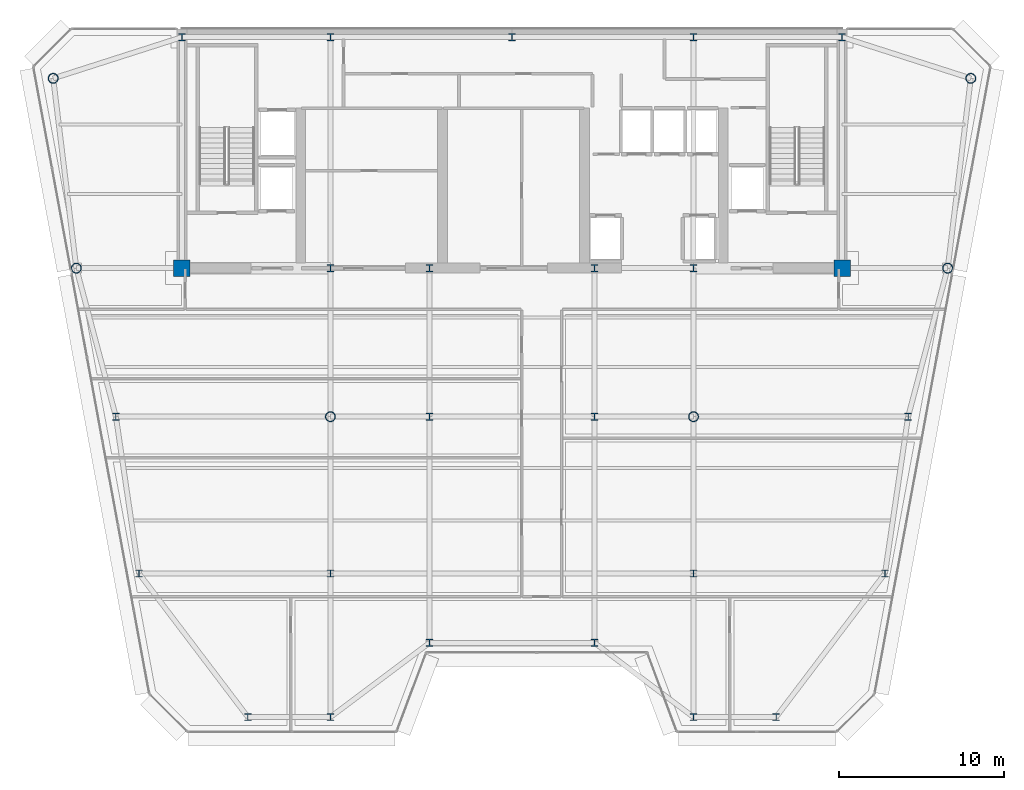
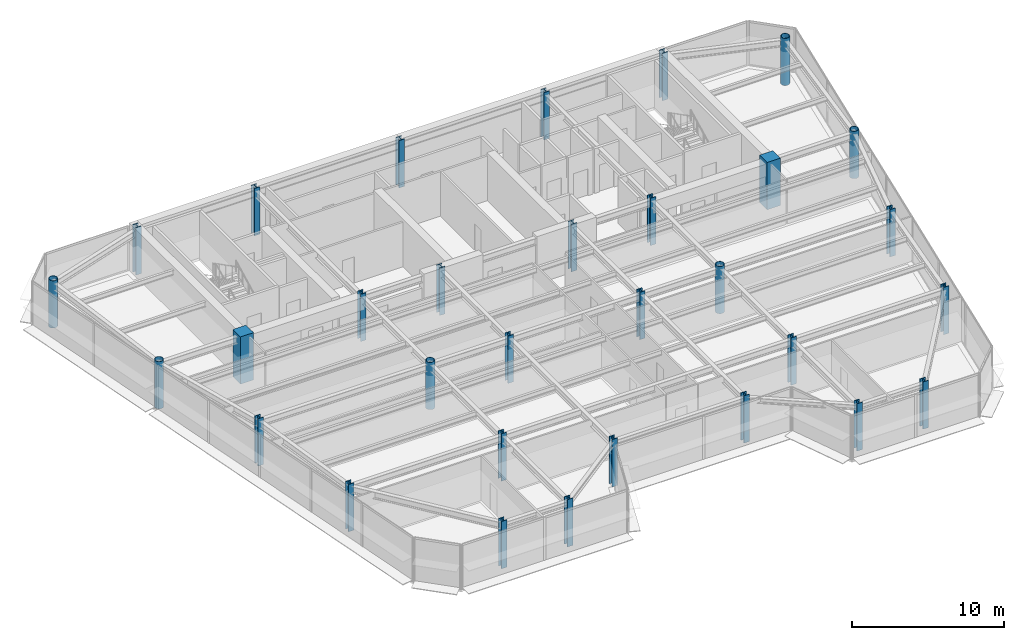
# One storey, part 1 of 17: 31 columns.
"""IFC4 building model written with IfcOpenShell, lengths in metres."""

from ifc_helpers import new_model, si_unit, direction, frame, origin, origin_2d, place, context, subcontext, project, spatial, rectangle, hollow_circle, i_section, extrude, source, transform, mapped, material, material_profile, profile_set, type_object, element, save


model = new_model("IFC4")

# Units and contexts
model_context = context("Model", 3, precision=1e-05, world=origin(), true_north=direction((0.0, 1.0)))
body_context = subcontext(model_context, "Body", "Model", "MODEL_VIEW")
ifc_project = project(units=[si_unit("LENGTHUNIT", "METRE"), si_unit("AREAUNIT", "SQUARE_METRE"), si_unit("VOLUMEUNIT", "CUBIC_METRE"), si_unit("PLANEANGLEUNIT", "RADIAN"), si_unit("MASSUNIT", "GRAM", prefix="KILO")], contexts=[model_context])

# Site, building, storey
site_placement = place(None, origin())
site = spatial("IfcSite", under=ifc_project, at=site_placement, CompositionType="ELEMENT")
building_placement = place(site_placement, origin())
building = spatial("IfcBuilding", under=site, at=building_placement, Name="Vaeldorn Concourse Tower", CompositionType="ELEMENT")
storey_placement = place(building_placement, frame((0.0, 0.0, 230.800048828125)))
storey = spatial("IfcBuildingStorey", under=building, at=storey_placement, Name="L59", CompositionType="ELEMENT", Elevation=230.800048828125)

# Columns
ifc_material_1 = material(Name="Concrete C50/60", Category="concrete")
ifc_material_profile_1 = material_profile(ifc_material_1, rectangle(XDim=1.0, YDim=1.0, at=origin_2d()), Name="RC 1000x1000")
ifc_profile_set_1 = profile_set([ifc_material_profile_1], Name="Concrete C50/60")
column_type_1 = type_object("IfcColumnType", Name="COL-RC1000", PredefinedType="COLUMN", material=ifc_profile_set_1)
shared_shape_1 = source(origin(), body_context, "Body", "SweptSolid", [
    extrude(rectangle(XDim=1.0, YDim=1.0, at=origin_2d()), origin(), (0.0, 0.0, 1.0), 3.800048828125),
])
for number, where, z_axis, x_axis, name in (
    (1, (14.0, 36.5, 0.0), (0.0, 0.0, 1.0), (1.0, 0.0, 0.0), "Column C-FC1 L59"),
    (2, (54.0, 36.5, 0.0), (0.0, 0.0, 1.0), (1.0, 0.0, 0.0), "Column C-FC6 L59"),
):
    element("IfcColumn", number, at=place(storey_placement, frame(where, z_axis=z_axis, x_axis=x_axis)), inside=storey, type_object=column_type_1, Name=name, PredefinedType="COLUMN", context=body_context, shape_type="MappedRepresentation", body=[
        mapped(shared_shape_1, transform((0.0, 0.0, 0.0), scale=1.0)),
    ])
ifc_material_2 = material(Name="Steel S460", Category="steel")
ifc_material_profile_2 = material_profile(ifc_material_2, i_section(OverallWidth=0.41796875, OverallDepth=0.455078125, WebThickness=0.0419921875, FlangeThickness=0.05810546875, FilletRadius=0.014892578125, at=origin_2d()), Name="HD 400x551")
ifc_profile_set_2 = profile_set([ifc_material_profile_2], Name="Steel S460")
column_type_2 = type_object("IfcColumnType", Name="COL-HD551", PredefinedType="COLUMN", material=ifc_profile_set_2)
shared_shape_2 = source(origin(), body_context, "Body", "SweptSolid", [
    extrude(i_section(OverallWidth=0.41796875, OverallDepth=0.455078125, WebThickness=0.0419921875, FlangeThickness=0.05810546875, FilletRadius=0.014892578125, at=origin_2d()), origin(), (0.0, 0.0, 1.0), 3.800048828125),
])
for number, where, z_axis, x_axis, name in (
    (3, (23.0, 36.5, 0.0), (0.0, 0.0, 1.0), (1.0, 0.0, 0.0), "Column C-FC2 L59"),
    (4, (29.0, 36.5, 0.0), (0.0, 0.0, 1.0), (1.0, 0.0, 0.0), "Column C-FC3 L59"),
    (5, (39.0, 36.5, 0.0), (0.0, 0.0, 1.0), (1.0, 0.0, 0.0), "Column C-FC4 L59"),
    (6, (45.0, 36.5, 0.0), (0.0, 0.0, 1.0), (1.0, 0.0, 0.0), "Column C-FC5 L59"),
    (7, (14.0, 50.5, 0.0), (0.0, 0.0, 1.0), (1.0, 0.0, 0.0), "Column C-HC1 L59"),
    (8, (23.0, 50.5, 0.0), (0.0, 0.0, 1.0), (1.0, 0.0, 0.0), "Column C-HC2 L59"),
    (9, (34.0, 50.5, 0.0), (0.0, 0.0, 1.0), (1.0, 0.0, 0.0), "Column C-HC3 L59"),
    (10, (45.0, 50.5, 0.0), (0.0, 0.0, 1.0), (1.0, 0.0, 0.0), "Column C-HC4 L59"),
    (11, (54.0, 50.5, 0.0), (0.0, 0.0, 1.0), (1.0, 0.0, 0.0), "Column C-HC5 L59"),
):
    element("IfcColumn", number, at=place(storey_placement, frame(where, z_axis=z_axis, x_axis=x_axis)), inside=storey, type_object=column_type_2, Name=name, PredefinedType="COLUMN", context=body_context, shape_type="MappedRepresentation", body=[
        mapped(shared_shape_2, transform((0.0, 0.0, 0.0), scale=1.0)),
    ])
ifc_material_3 = material(Name="Steel S355", Category="steel")
ifc_material_profile_3 = material_profile(ifc_material_3, hollow_circle(Radius=0.304931640625, WallThickness=0.030029296875, at=origin_2d()), Name="CHS 610x30")
ifc_profile_set_3 = profile_set([ifc_material_profile_3], Name="Steel S355")
column_type_3 = type_object("IfcColumnType", Name="COL-CHS610", PredefinedType="COLUMN", material=ifc_profile_set_3)
shared_shape_3 = source(origin(), body_context, "Body", "SweptSolid", [
    extrude(hollow_circle(Radius=0.304931640625, WallThickness=0.030029296875, at=origin_2d()), origin(), (0.0, 0.0, 1.0), 3.800048828125),
])
for number, where, z_axis, x_axis, name in (
    (12, (6.199951171875, 48.0, 0.0), (0.0, 0.0, 1.0), (1.0, 0.0, 0.0), "Column C-NW1 L59"),
    (13, (7.60009765625, 36.5, 0.0), (0.0, 0.0, 1.0), (1.0, 0.0, 0.0), "Column C-NW2 L59"),
    (14, (61.800048828125, 48.0, 0.0), (0.0, 0.0, 1.0), (1.0, 0.0, 0.0), "Column C-NE1 L59"),
    (15, (60.39990234375, 36.5, 0.0), (0.0, 0.0, 1.0), (1.0, 0.0, 0.0), "Column C-NE2 L59"),
    (16, (23.0, 27.5, 0.0), (0.0, 0.0, 1.0), (1.0, 0.0, 0.0), "Column C-TW1 L59"),
    (17, (45.0, 27.5, 0.0), (0.0, 0.0, 1.0), (1.0, 0.0, 0.0), "Column C-TW4 L59"),
):
    element("IfcColumn", number, at=place(storey_placement, frame(where, z_axis=z_axis, x_axis=x_axis)), inside=storey, type_object=column_type_3, Name=name, PredefinedType="COLUMN", context=body_context, shape_type="MappedRepresentation", body=[
        mapped(shared_shape_3, transform((0.0, 0.0, 0.0), scale=1.0)),
    ])
ifc_material_profile_4 = material_profile(ifc_material_3, i_section(OverallWidth=0.412109375, OverallDepth=0.43505859375, WebThickness=0.035888671875, FlangeThickness=0.050048828125, FilletRadius=0.014892578125, at=origin_2d()), Name="HD 400x463")
ifc_profile_set_4 = profile_set([ifc_material_profile_4], Name="Steel S355")
column_type_4 = type_object("IfcColumnType", Name="COL-HD463F", PredefinedType="COLUMN", material=ifc_profile_set_4)
shared_shape_4 = source(origin(), body_context, "Body", "SweptSolid", [
    extrude(i_section(OverallWidth=0.412109375, OverallDepth=0.43505859375, WebThickness=0.035888671875, FlangeThickness=0.050048828125, FilletRadius=0.014892578125, at=origin_2d()), origin(), (0.0, 0.0, 1.0), 3.800048828125),
])
for number, where, z_axis, x_axis, name in (
    (18, (10.0, 27.5, 0.0), (0.0, 0.0, 1.0), (1.0, 0.0, 0.0), "Column C-FLW1 L59"),
    (19, (11.39990234375, 18.0, 0.0), (0.0, 0.0, 1.0), (1.0, 0.0, 0.0), "Column C-FLW2 L59"),
    (20, (58.0, 27.5, 0.0), (0.0, 0.0, 1.0), (1.0, 0.0, 0.0), "Column C-FLE1 L59"),
    (21, (56.60009765625, 18.0, 0.0), (0.0, 0.0, 1.0), (1.0, 0.0, 0.0), "Column C-FLE2 L59"),
):
    element("IfcColumn", number, at=place(storey_placement, frame(where, z_axis=z_axis, x_axis=x_axis)), inside=storey, type_object=column_type_4, Name=name, PredefinedType="COLUMN", context=body_context, shape_type="MappedRepresentation", body=[
        mapped(shared_shape_4, transform((0.0, 0.0, 0.0), scale=1.0)),
    ])
ifc_material_profile_5 = material_profile(ifc_material_3, i_section(OverallWidth=0.412109375, OverallDepth=0.43505859375, WebThickness=0.035888671875, FlangeThickness=0.050048828125, FilletRadius=0.014892578125, at=origin_2d()), Name="HD 400x463")
ifc_profile_set_5 = profile_set([ifc_material_profile_5], Name="Steel S355")
column_type_5 = type_object("IfcColumnType", Name="COL-HD463T", PredefinedType="COLUMN", material=ifc_profile_set_5)
shared_shape_5 = source(origin(), body_context, "Body", "SweptSolid", [
    extrude(i_section(OverallWidth=0.412109375, OverallDepth=0.43505859375, WebThickness=0.035888671875, FlangeThickness=0.050048828125, FilletRadius=0.014892578125, at=origin_2d()), origin(), (0.0, 0.0, 1.0), 3.800048828125),
])
for number, where, z_axis, x_axis, name in (
    (22, (29.0, 27.5, 0.0), (0.0, 0.0, 1.0), (1.0, 0.0, 0.0), "Column C-TW2 L59"),
    (23, (39.0, 27.5, 0.0), (0.0, 0.0, 1.0), (1.0, 0.0, 0.0), "Column C-TW3 L59"),
    (24, (23.0, 18.0, 0.0), (0.0, 0.0, 1.0), (1.0, 0.0, 0.0), "Column C-TW5 L59"),
    (25, (45.0, 18.0, 0.0), (0.0, 0.0, 1.0), (1.0, 0.0, 0.0), "Column C-TW6 L59"),
    (26, (18.0, 9.300048828125, 0.0), (0.0, 0.0, 1.0), (1.0, 0.0, 0.0), "Column C-SF1 L59"),
    (27, (23.0, 9.300048828125, 0.0), (0.0, 0.0, 1.0), (1.0, 0.0, 0.0), "Column C-SF2 L59"),
    (28, (29.0, 13.800048828125, 0.0), (0.0, 0.0, 1.0), (1.0, 0.0, 0.0), "Column C-SF3 L59"),
    (29, (39.0, 13.800048828125, 0.0), (0.0, 0.0, 1.0), (1.0, 0.0, 0.0), "Column C-SF4 L59"),
    (30, (45.0, 9.300048828125, 0.0), (0.0, 0.0, 1.0), (1.0, 0.0, 0.0), "Column C-SF5 L59"),
    (31, (50.0, 9.300048828125, 0.0), (0.0, 0.0, 1.0), (1.0, 0.0, 0.0), "Column C-SF6 L59"),
):
    element("IfcColumn", number, at=place(storey_placement, frame(where, z_axis=z_axis, x_axis=x_axis)), inside=storey, type_object=column_type_5, Name=name, PredefinedType="COLUMN", context=body_context, shape_type="MappedRepresentation", body=[
        mapped(shared_shape_5, transform((0.0, 0.0, 0.0), scale=1.0)),
    ])

save(model, "model.ifc")
